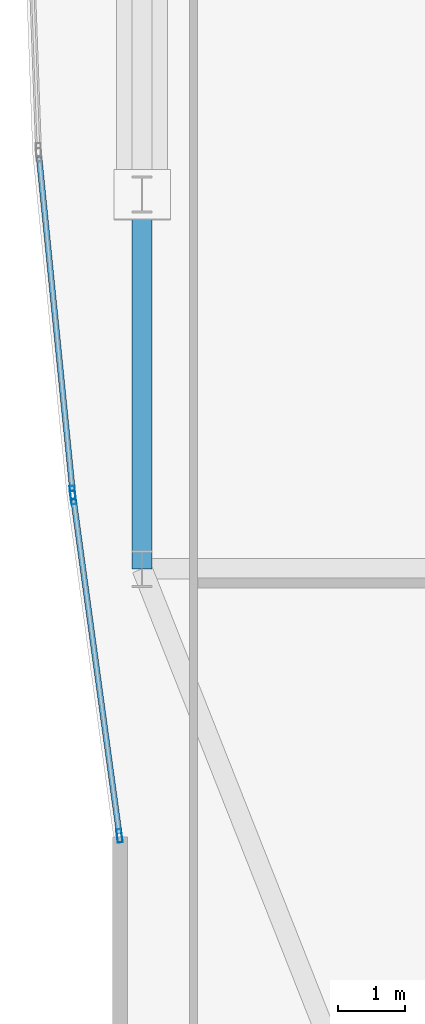
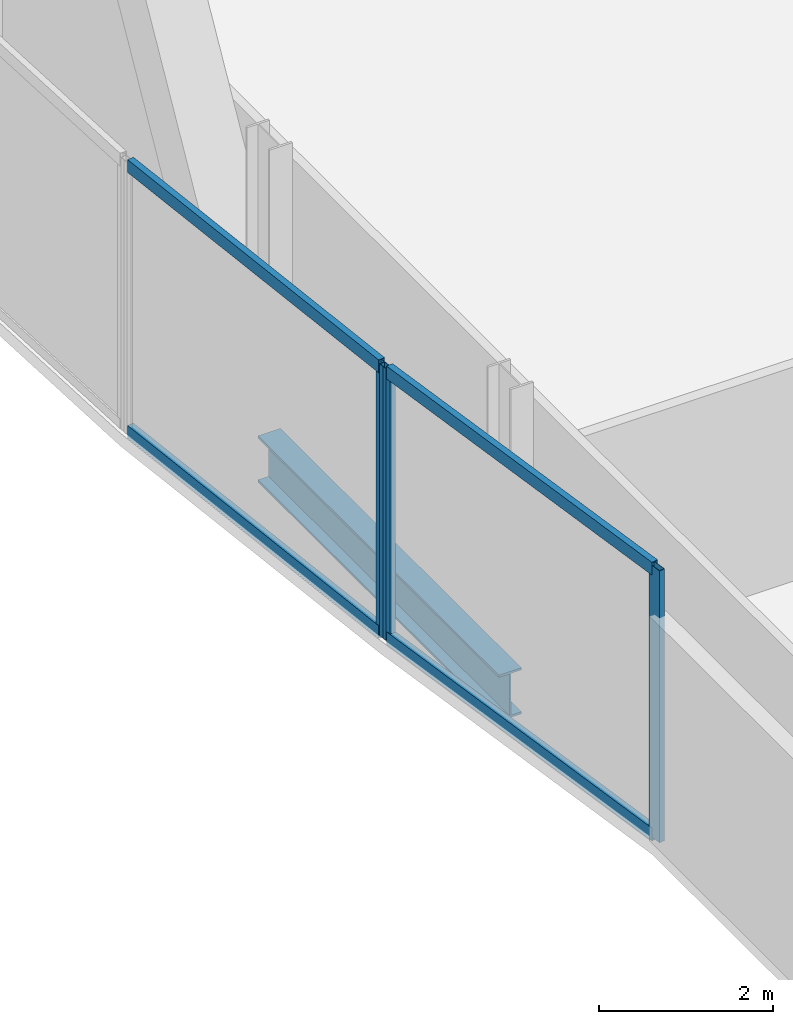
# One storey, part 6 of 35: 7 members, 1 beam, 2 elements without a shape of their own.
"""IFC4 building model written with IfcOpenShell, lengths in metres."""

from ifc_helpers import new_model, si_unit, direction, frame, origin, origin_2d, place, context, subcontext, project, spatial, hollow_rectangle, i_section, extrude, material, material_profile, profile_set, type_object, element, aggregate, save


model = new_model("IFC4")

# Units and contexts
model_context = context("Model", 3, precision=1e-05, world=origin(), true_north=direction((0.0, 1.0)))
body_context = subcontext(model_context, "Body", "Model", "MODEL_VIEW")
ifc_project = project(units=[si_unit("LENGTHUNIT", "METRE"), si_unit("AREAUNIT", "SQUARE_METRE"), si_unit("VOLUMEUNIT", "CUBIC_METRE"), si_unit("PLANEANGLEUNIT", "RADIAN"), si_unit("MASSUNIT", "GRAM", prefix="KILO")], contexts=[model_context])

# Site, building, storey
site_placement = place(None, origin())
site = spatial("IfcSite", under=ifc_project, at=site_placement, CompositionType="ELEMENT")
building_placement = place(site_placement, origin())
building = spatial("IfcBuilding", under=site, at=building_placement, Name="Khoronbel Lancet Exchange", CompositionType="ELEMENT")
storey_placement = place(building_placement, frame((0.0, 0.0, 37.800048828125)))
storey = spatial("IfcBuildingStorey", under=building, at=storey_placement, Name="L08", CompositionType="ELEMENT", Elevation=37.800048828125)

# Beam
ifc_material_1 = material(Name="Steel S355", Category="steel")
ifc_material_profile_1 = material_profile(ifc_material_1, i_section(OverallWidth=0.300048828125, OverallDepth=0.64990234375, WebThickness=0.01611328125, FlangeThickness=0.031005859375, at=origin_2d()), Name="HEB 650")
ifc_profile_set_1 = profile_set([ifc_material_profile_1], Name="Steel S355")
beam_type = type_object("IfcBeamType", Name="BM-BSP1", PredefinedType="SPANDREL", material=ifc_profile_set_1)
beam_placement = place(storey_placement, frame((1.27001953125, 24.75, -0.505126953125), z_axis=(0.0, -1.0, 0.0), x_axis=(1.0, 0.0, 0.0)))
element("IfcBeam", 1, at=beam_placement, inside=storey, type_object=beam_type, Name="Level L08 perimeter spandrel beam SP20", PredefinedType="SPANDREL", context=body_context, shape_type="SweptSolid", body=[
    extrude(i_section(OverallWidth=0.300048828125, OverallDepth=0.64990234375, WebThickness=0.01611328125, FlangeThickness=0.031005859375, at=origin_2d()), origin(), (0.0, 0.0, 1.0), 5.550048828125),
])

# Curtain wall, members
ifc_material_2 = material(Name="Low-E Solar Control Insulating Glass", Category="glass")
curtain_wall_type = type_object("IfcCurtainWallType", Name="CW-4", PredefinedType="NOTDEFINED", material=ifc_material_2)
curtain_wall_1_placement = place(storey_placement, origin())
curtain_wall_1 = element("IfcCurtainWall", 2, at=curtain_wall_1_placement, inside=storey, type_object=curtain_wall_type, Name="Unitised curtain wall CW-L08-E04", PredefinedType="NOTDEFINED")
ifc_material_3 = material(Name="Bronze-Anodised Aluminium 6063-T6", Category="aluminium")
ifc_material_profile_2 = material_profile(ifc_material_3, hollow_rectangle(XDim=0.074951171875, YDim=0.199951171875, WallThickness=0.0048828125, at=origin_2d()), Name="ALU MULLION 75x200")
ifc_profile_set_2 = profile_set([ifc_material_profile_2], Name="Bronze-Anodised Aluminium 6063-T6")
member_type_1 = type_object("IfcMemberType", Name="MEM-CWM2", PredefinedType="MULLION", material=ifc_profile_set_2)
member_1_placement = place(storey_placement, frame((0.934814453125, 15.2431640625, 0.0), z_axis=(0.0, 0.0, 1.0), x_axis=(-0.990785557592, -0.135439945613, 0.0)))
member_1 = element("IfcMember", 3, at=member_1_placement, type_object=member_type_1, Name="CW4 mullion 1", PredefinedType="MULLION", context=body_context, shape_type="SweptSolid", body=[
    extrude(hollow_rectangle(XDim=0.074951171875, YDim=0.199951171875, WallThickness=0.0048828125, at=origin_2d()), origin(), (0.0, 0.0, 1.0), 3.820068359375),
])
member_2_placement = place(storey_placement, frame((0.24951171875, 20.2568359375, 0.0), z_axis=(0.0, 0.0, 1.0), x_axis=(-0.990785557592, -0.135439945613, 0.0)))
member_2 = element("IfcMember", 4, at=member_2_placement, type_object=member_type_1, Name="CW4 mullion 2", PredefinedType="MULLION", context=body_context, shape_type="SweptSolid", body=[
    extrude(hollow_rectangle(XDim=0.074951171875, YDim=0.199951171875, WallThickness=0.0048828125, at=origin_2d()), origin(), (0.0, 0.0, 1.0), 3.820068359375),
])

# Curtain wall, member
curtain_wall_2_placement = place(storey_placement, origin())
curtain_wall_2 = element("IfcCurtainWall", 5, at=curtain_wall_2_placement, inside=storey, type_object=curtain_wall_type, Name="Unitised curtain wall CW-L08-E05", PredefinedType="NOTDEFINED")
member_3_placement = place(storey_placement, frame((0.24072265625, 20.331298828125, 0.0), z_axis=(0.0, 0.0, 1.0), x_axis=(-0.995027292608, -0.099602645371, 0.0)))
member_3 = element("IfcMember", 6, at=member_3_placement, type_object=member_type_1, Name="CW4 mullion 1", PredefinedType="MULLION", context=body_context, shape_type="SweptSolid", body=[
    extrude(hollow_rectangle(XDim=0.074951171875, YDim=0.199951171875, WallThickness=0.0048828125, at=origin_2d()), origin(), (0.0, 0.0, 1.0), 3.820068359375),
])

# Member
ifc_material_profile_3 = material_profile(ifc_material_3, hollow_rectangle(XDim=0.0849609375, YDim=0.179931640625, WallThickness=0.0048828125, at=origin_2d()), Name="ALU TRANSOM 85x180")
ifc_profile_set_3 = profile_set([ifc_material_profile_3], Name="Bronze-Anodised Aluminium 6063-T6")
member_type_2 = type_object("IfcMemberType", Name="MEM-CWT1", PredefinedType="USERDEFINED", material=ifc_profile_set_3)
member_4_placement = place(storey_placement, frame((0.929931640625, 15.280517578125, 0.04248046875), z_axis=(-0.135467252894, 0.990781824315, 0.0), x_axis=(-0.990781824315, -0.135467252894, 0.0)))
member_4 = element("IfcMember", 7, at=member_4_placement, type_object=member_type_2, Name="CW4 transom 1.1", ObjectType="TRANSOM", PredefinedType="USERDEFINED", context=body_context, shape_type="SweptSolid", body=[
    extrude(hollow_rectangle(XDim=0.0849609375, YDim=0.179931640625, WallThickness=0.0048828125, at=origin_2d()), origin(), (0.0, 0.0, 1.0), 4.98486328125),
])

member_5_placement = place(storey_placement, frame((0.929931640625, 15.280517578125, 3.77734375), z_axis=(-0.135467252894, 0.990781824315, 0.0), x_axis=(-0.990781824315, -0.135467252894, 0.0)))
member_5 = element("IfcMember", 8, at=member_5_placement, type_object=member_type_2, Name="CW4 transom 1.2", ObjectType="TRANSOM", PredefinedType="USERDEFINED", context=body_context, shape_type="SweptSolid", body=[
    extrude(hollow_rectangle(XDim=0.0849609375, YDim=0.179931640625, WallThickness=0.0048828125, at=origin_2d()), origin(), (0.0, 0.0, 1.0), 4.98486328125),
])

aggregate(curtain_wall_1, [member_1, member_2, member_4, member_5])

member_6_placement = place(storey_placement, frame((0.237060546875, 20.368408203125, 0.04248046875), z_axis=(-0.099591541432, 0.995028404054, 0.0), x_axis=(-0.995028404054, -0.099591541432, 0.0)))
member_6 = element("IfcMember", 9, at=member_6_placement, type_object=member_type_2, Name="CW4 transom 1.1", ObjectType="TRANSOM", PredefinedType="USERDEFINED", context=body_context, shape_type="SweptSolid", body=[
    extrude(hollow_rectangle(XDim=0.0849609375, YDim=0.179931640625, WallThickness=0.0048828125, at=origin_2d()), origin(), (0.0, 0.0, 1.0), 4.954345703125),
])

member_7_placement = place(storey_placement, frame((0.237060546875, 20.368408203125, 3.77734375), z_axis=(-0.099591541432, 0.995028404054, 0.0), x_axis=(-0.995028404054, -0.099591541432, 0.0)))
member_7 = element("IfcMember", 10, at=member_7_placement, type_object=member_type_2, Name="CW4 transom 1.2", ObjectType="TRANSOM", PredefinedType="USERDEFINED", context=body_context, shape_type="SweptSolid", body=[
    extrude(hollow_rectangle(XDim=0.0849609375, YDim=0.179931640625, WallThickness=0.0048828125, at=origin_2d()), origin(), (0.0, 0.0, 1.0), 4.954345703125),
])

aggregate(curtain_wall_2, [member_3, member_6, member_7])

save(model, "model.ifc")
